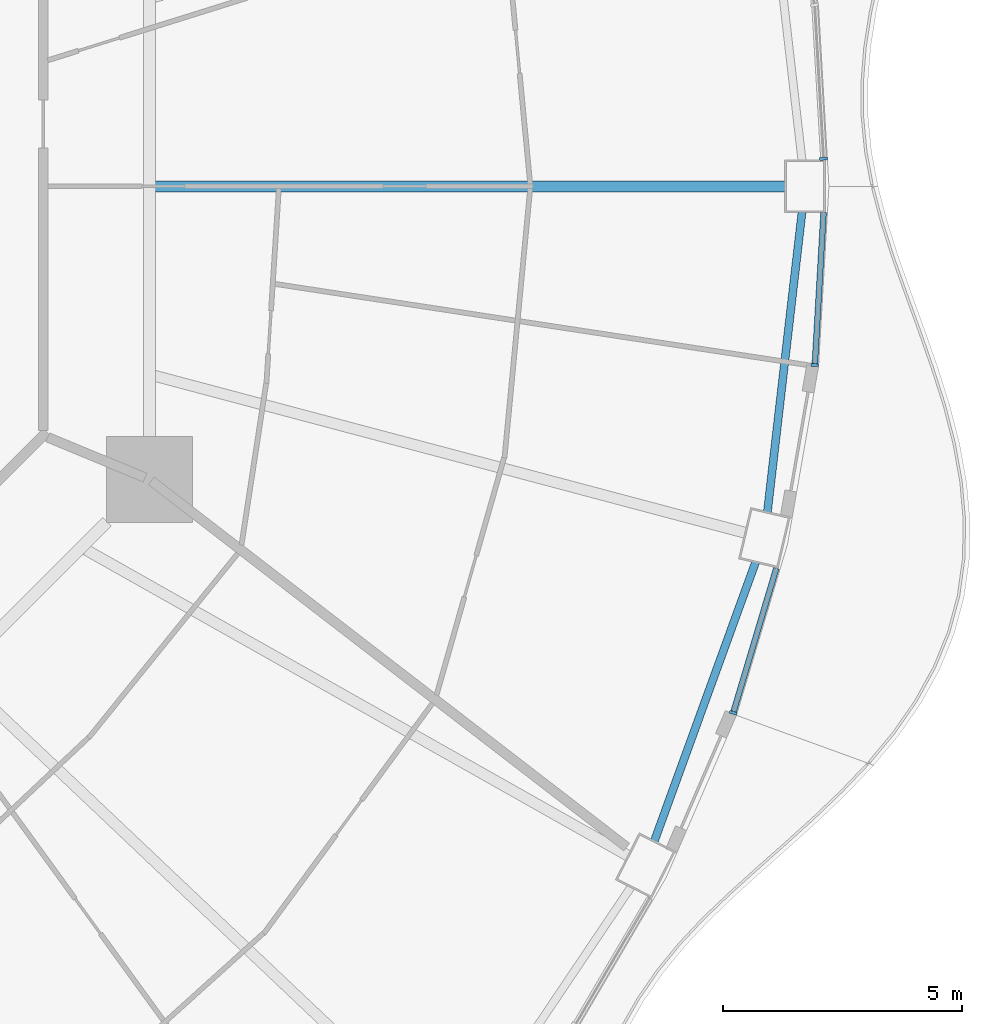
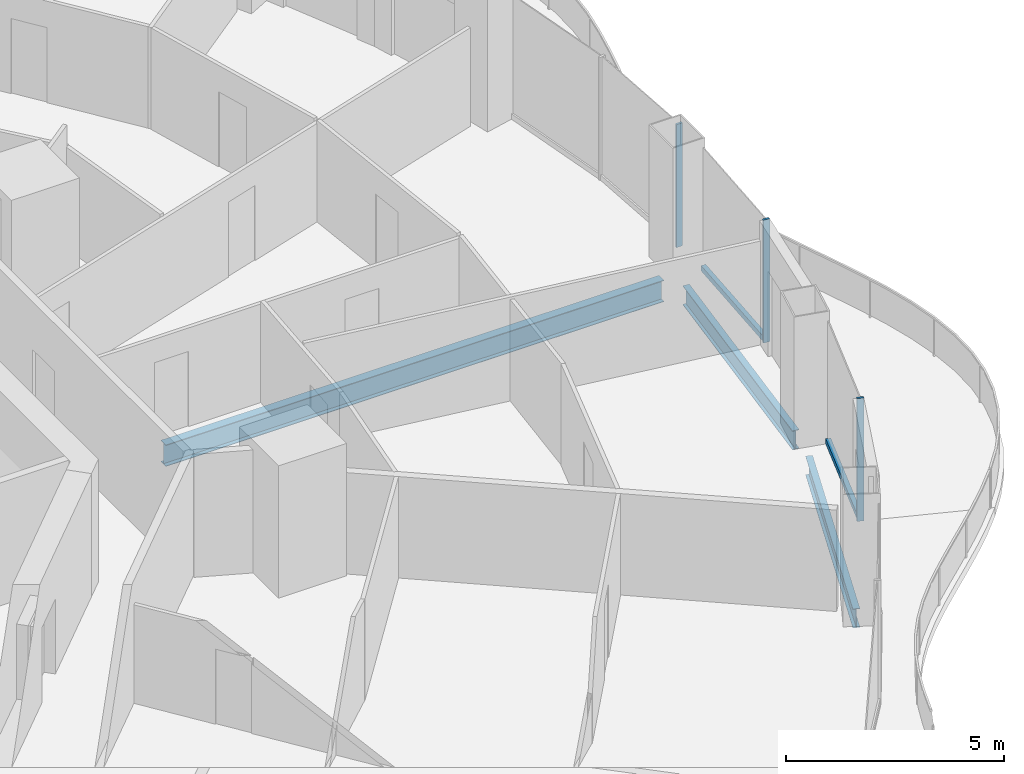
# One storey, part 5 of 19: 5 members, 3 beams, 3 elements without a shape of their own.
"""IFC4 building model written with IfcOpenShell, lengths in metres."""

from ifc_helpers import new_model, si_unit, direction, frame, origin, origin_2d, place, context, subcontext, project, spatial, rectangle, i_section, extrude, material, layer, layer_set, material_profile, profile_set, type_object, element, aggregate, save


model = new_model("IFC4")

# Units and contexts
model_context = context("Model", 3, precision=1e-05, world=origin(), true_north=direction((0.0, 1.0)))
body_context = subcontext(model_context, "Body", "Model", "MODEL_VIEW")
ifc_project = project(units=[si_unit("LENGTHUNIT", "METRE"), si_unit("AREAUNIT", "SQUARE_METRE"), si_unit("VOLUMEUNIT", "CUBIC_METRE"), si_unit("PLANEANGLEUNIT", "RADIAN"), si_unit("MASSUNIT", "GRAM", prefix="KILO")], contexts=[model_context])

# Site, building, storey
site_placement = place(None, origin())
site = spatial("IfcSite", under=ifc_project, at=site_placement, CompositionType="ELEMENT")
building_placement = place(site_placement, origin())
building = spatial("IfcBuilding", under=site, at=building_placement, Name="Nagisa Residences", CompositionType="ELEMENT")
storey_placement = place(building_placement, frame((0.0, 0.0, 173.300048828125)))
storey = spatial("IfcBuildingStorey", under=building, at=storey_placement, Name="L43", CompositionType="ELEMENT", Elevation=173.300048828125)

# Curtain wall, member
ifc_material_1 = material(Name="Concrete-coloured aluminium curtain wall system", Category="concrete")
ifc_layer = layer(ifc_material_1, 0.159912109375)
ifc_layer_set = layer_set([ifc_layer], Name="CW1 CURTAIN WALL")
curtain_wall_type = type_object("IfcCurtainWallType", Name="CW1 CURTAIN WALL", PredefinedType="NOTDEFINED", material=ifc_layer_set)
curtain_wall_1_placement = place(storey_placement, origin())
curtain_wall_1 = element("IfcCurtainWall", 1, at=curtain_wall_1_placement, inside=storey, type_object=curtain_wall_type, Name="cw:CW1:L43:00", PredefinedType="NOTDEFINED")
ifc_material_2 = material(Name="Concrete-coloured aluminium", Category="concrete")
ifc_material_profile_1 = material_profile(ifc_material_2, rectangle(XDim=0.159912109375, YDim=0.06005859375, at=origin_2d()), Name="CW1 MULLION 160x60")
ifc_profile_set_1 = profile_set([ifc_material_profile_1], Name="Concrete-coloured aluminium")
member_type_1 = type_object("IfcMemberType", Name="CW1 MULLION 160x60", PredefinedType="MULLION", material=ifc_profile_set_1)
member_1_placement = place(storey_placement, frame((28.86181640625, 0.574462890625, 0.0), z_axis=(0.0, 0.0, 1.0), x_axis=(-0.998345305184, -0.057503492216, 0.0)))
member_1 = element("IfcMember", 2, at=member_1_placement, type_object=member_type_1, Name="CW1 mullion", PredefinedType="MULLION", context=body_context, shape_type="SweptSolid", body=[
    extrude(rectangle(XDim=0.159912109375, YDim=0.06005859375, at=origin_2d()), origin(), (0.0, 0.0, 1.0), 3.43994140625),
])
aggregate(curtain_wall_1, [member_1])

curtain_wall_2_placement = place(storey_placement, origin())
curtain_wall_2 = element("IfcCurtainWall", 3, at=curtain_wall_2_placement, inside=storey, type_object=curtain_wall_type, Name="cw:CW1:L43:45", PredefinedType="NOTDEFINED")
member_2_placement = place(storey_placement, frame((26.975341796875, -10.998291015625, 0.0), z_axis=(0.0, 0.0, 1.0), x_axis=(-0.958271310082, 0.285860274038, 0.0)))
member_2 = element("IfcMember", 4, at=member_2_placement, type_object=member_type_1, Name="CW1 mullion", PredefinedType="MULLION", context=body_context, shape_type="SweptSolid", body=[
    extrude(rectangle(XDim=0.159912109375, YDim=0.06005859375, at=origin_2d()), origin(), (0.0, 0.0, 1.0), 3.43994140625),
])

curtain_wall_3_placement = place(storey_placement, origin())
curtain_wall_3 = element("IfcCurtainWall", 5, at=curtain_wall_3_placement, inside=storey, type_object=curtain_wall_type, Name="cw:CW1:L43:47", PredefinedType="NOTDEFINED")
member_3_placement = place(storey_placement, frame((28.6796875, -3.734375, 0.0), z_axis=(0.0, 0.0, 1.0), x_axis=(-0.998345305184, 0.057503492216, 0.0)))
member_3 = element("IfcMember", 6, at=member_3_placement, type_object=member_type_1, Name="CW1 mullion", PredefinedType="MULLION", context=body_context, shape_type="SweptSolid", body=[
    extrude(rectangle(XDim=0.159912109375, YDim=0.06005859375, at=origin_2d()), origin(), (0.0, 0.0, 1.0), 3.43994140625),
])

# Member
ifc_material_3 = material(Name="Concrete-coloured aluminium", Category="concrete")
ifc_material_profile_2 = material_profile(ifc_material_3, rectangle(XDim=0.1201171875, YDim=0.14990234375, at=origin_2d()), Name="CW1 TRANSOM 120x150")
ifc_profile_set_2 = profile_set([ifc_material_profile_2], Name="Concrete-coloured aluminium")
member_type_2 = type_object("IfcMemberType", Name="CW1 TRANSOM 120x150", PredefinedType="USERDEFINED", material=ifc_profile_set_2)
member_4_placement = place(storey_placement, frame((26.966796875, -11.027099609375, 0.074951171875), z_axis=(0.28584838049, 0.958274857946, 0.0), x_axis=(-0.958274857946, 0.28584838049, 0.0)))
member_4 = element("IfcMember", 7, at=member_4_placement, type_object=member_type_2, Name="CW1 transom", ObjectType="TRANSOM", PredefinedType="USERDEFINED", context=body_context, shape_type="SweptSolid", body=[
    extrude(rectangle(XDim=0.1201171875, YDim=0.14990234375, at=origin_2d()), origin(), (0.0, 0.0, 1.0), 3.182373046875),
])

aggregate(curtain_wall_2, [member_2, member_4])

member_5_placement = place(storey_placement, frame((28.677978515625, -3.764404296875, 0.074951171875), z_axis=(0.057528345118, 0.998343873376, 0.0), x_axis=(-0.998343873376, 0.057528345118, 0.0)))
member_5 = element("IfcMember", 8, at=member_5_placement, type_object=member_type_2, Name="CW1 transom", ObjectType="TRANSOM", PredefinedType="USERDEFINED", context=body_context, shape_type="SweptSolid", body=[
    extrude(rectangle(XDim=0.1201171875, YDim=0.14990234375, at=origin_2d()), origin(), (0.0, 0.0, 1.0), 3.225341796875),
])

aggregate(curtain_wall_3, [member_3, member_5])

# Beams
ifc_material_4 = material(Name="Steel ASTM A572 Gr 50", Category="steel")
ifc_material_profile_3 = material_profile(ifc_material_4, i_section(OverallWidth=0.166015625, OverallDepth=0.534912109375, WebThickness=0.01025390625, FlangeThickness=0.0166015625, at=origin_2d()), Name="W530x85")
ifc_profile_set_3 = profile_set([ifc_material_profile_3], Name="Steel ASTM A572 Gr 50")
beam_type_1 = type_object("IfcBeamType", Name="Perimeter ring beam W530x85", PredefinedType="BEAM", material=ifc_profile_set_3)
beam_1_placement = place(storey_placement, frame((25.32470703125, -13.685546875, -0.527587890625), z_axis=(0.341320243926, 0.939947068237, 0.0), x_axis=(-0.939947068237, 0.341320243926, 0.0)))
element("IfcBeam", 9, at=beam_1_placement, inside=storey, type_object=beam_type_1, Name="beam:L43:pb23", PredefinedType="BEAM", context=body_context, shape_type="SweptSolid", body=[
    extrude(i_section(OverallWidth=0.166015625, OverallDepth=0.534912109375, WebThickness=0.01025390625, FlangeThickness=0.0166015625, at=origin_2d()), origin(), (0.0, 0.0, 1.0), 6.212890625),
])
beam_2_placement = place(storey_placement, frame((27.688720703125, -6.813720703125, -0.527587890625), z_axis=(0.11463289794, 0.993407921606, 0.0), x_axis=(-0.993407921606, 0.11463289794, 0.0)))
element("IfcBeam", 10, at=beam_2_placement, inside=storey, type_object=beam_type_1, Name="beam:L43:pb24", PredefinedType="BEAM", context=body_context, shape_type="SweptSolid", body=[
    extrude(i_section(OverallWidth=0.166015625, OverallDepth=0.534912109375, WebThickness=0.01025390625, FlangeThickness=0.0166015625, at=origin_2d()), origin(), (0.0, 0.0, 1.0), 6.325439453125),
])
ifc_material_5 = material(Name="Steel ASTM A572 Gr 50", Category="steel")
ifc_material_profile_4 = material_profile(ifc_material_5, i_section(OverallWidth=0.22802734375, OverallDepth=0.60302734375, WebThickness=0.010498046875, FlangeThickness=0.014892578125, at=origin_2d()), Name="W610x101")
ifc_profile_set_4 = profile_set([ifc_material_profile_4], Name="Steel ASTM A572 Gr 50")
beam_type_2 = type_object("IfcBeamType", Name="Radial beam W610x101", PredefinedType="BEAM", material=ifc_profile_set_4)
beam_3_placement = place(storey_placement, frame((28.070068359375, 0.0, -0.5615234375), z_axis=(-1.0, 0.0, 0.0), x_axis=(0.0, -1.0, 0.0)))
element("IfcBeam", 11, at=beam_3_placement, inside=storey, type_object=beam_type_2, Name="beam:L43:rb01", PredefinedType="BEAM", context=body_context, shape_type="SweptSolid", body=[
    extrude(i_section(OverallWidth=0.22802734375, OverallDepth=0.60302734375, WebThickness=0.010498046875, FlangeThickness=0.014892578125, at=origin_2d()), origin(), (0.0, 0.0, 1.0), 13.180908203125),
])

save(model, "model.ifc")
